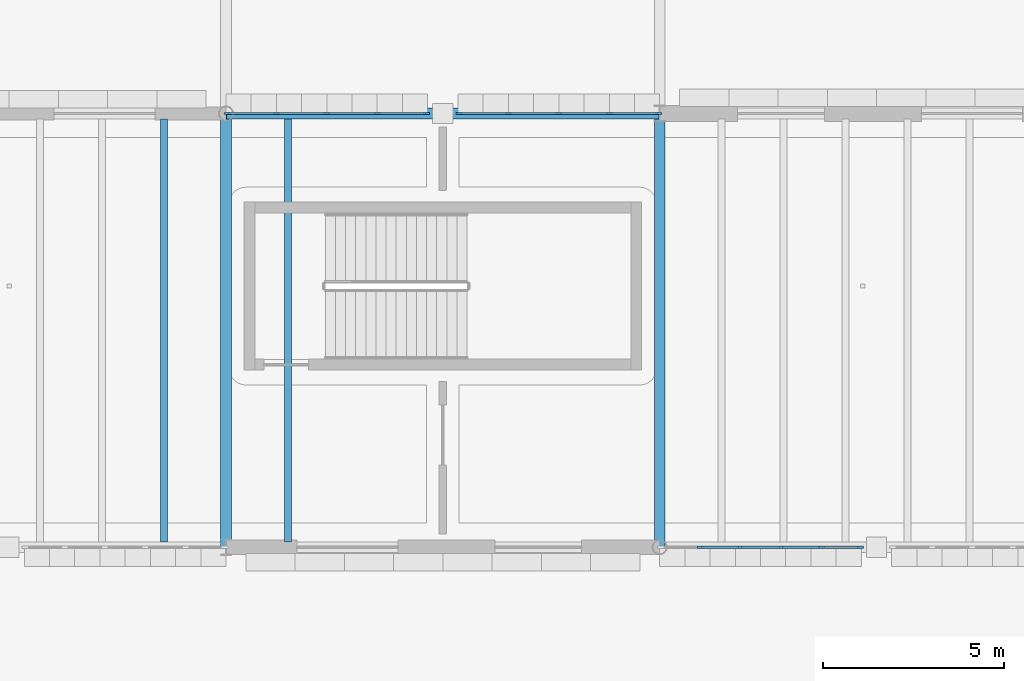
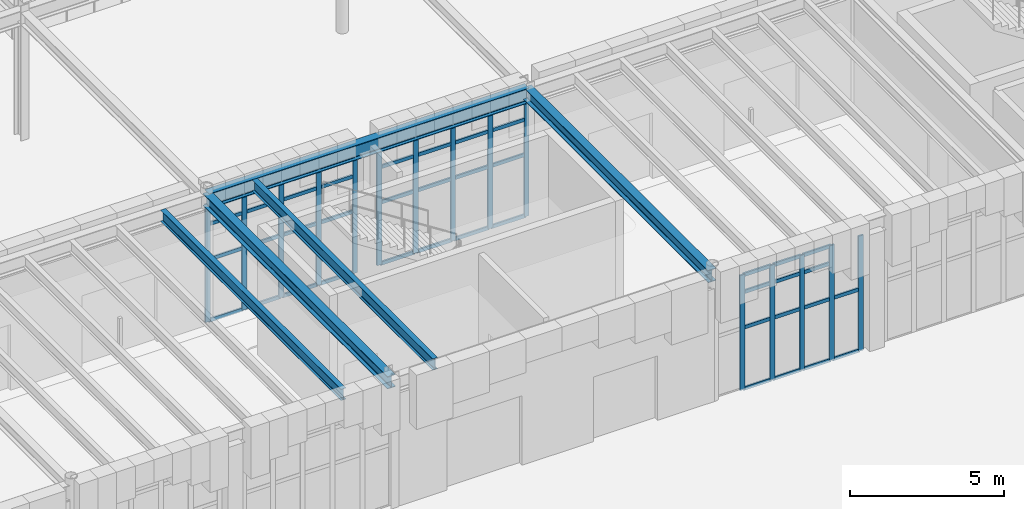
# One storey, part 29 of 103: 61 members, 5 beams, 3 elements without a shape of their own.
"""IFC4 building model written with IfcOpenShell, lengths in metres."""

from ifc_helpers import new_model, si_unit, direction, frame, origin, origin_2d, place, context, subcontext, project, spatial, rectangle, i_section, extrude, material, layer, layer_set, material_profile, profile_set, type_object, element, aggregate, save


model = new_model("IFC4")

# Units and contexts
model_context = context("Model", 3, precision=1e-05, world=origin(), true_north=direction((0.0, 1.0)))
body_context = subcontext(model_context, "Body", "Model", "MODEL_VIEW")
ifc_project = project(units=[si_unit("LENGTHUNIT", "METRE"), si_unit("AREAUNIT", "SQUARE_METRE"), si_unit("VOLUMEUNIT", "CUBIC_METRE"), si_unit("PLANEANGLEUNIT", "RADIAN"), si_unit("MASSUNIT", "GRAM", prefix="KILO")], contexts=[model_context])

# Site, building, storey
site_placement = place(None, origin())
site = spatial("IfcSite", under=ifc_project, at=site_placement, CompositionType="ELEMENT")
building_placement = place(site_placement, origin())
building = spatial("IfcBuilding", under=site, at=building_placement, Name="Zlatogorsky Bluff Art Gallery", CompositionType="ELEMENT")
storey_placement = place(building_placement, origin())
storey = spatial("IfcBuildingStorey", under=building, at=storey_placement, Name="L00", CompositionType="ELEMENT", Elevation=0.0)

# Beams
ifc_material_1 = material(Name="Steel S355", Category="steel")
ifc_material_profile_1 = material_profile(ifc_material_1, i_section(OverallWidth=0.300048828125, OverallDepth=0.590087890625, WebThickness=0.012939453125, FlangeThickness=0.02490234375, FilletRadius=0.027099609375, at=origin_2d()), Name="HEA 600")
ifc_profile_set_1 = profile_set([ifc_material_profile_1], Name="Steel S355")
beam_type_1 = type_object("IfcBeamType", Name="Beam BM-05 HEA 600", PredefinedType="BEAM", material=ifc_profile_set_1)
beam_placement = place(storey_placement, frame((96.014892578125, 96.0, 4.844970703125), z_axis=(1.0, 0.0, 0.0), x_axis=(0.0, 1.0, 0.0)))
element("IfcBeam", 1, at=beam_placement, inside=storey, type_object=beam_type_1, Name="Primary girder BM-05 L00 J-K/10", PredefinedType="BEAM", context=body_context, shape_type="SweptSolid", body=[
    extrude(i_section(OverallWidth=0.300048828125, OverallDepth=0.590087890625, WebThickness=0.012939453125, FlangeThickness=0.02490234375, FilletRadius=0.027099609375, at=origin_2d()), origin(), (0.0, 0.0, 1.0), 11.97021484375),
])
ifc_material_profile_2 = material_profile(ifc_material_1, i_section(OverallWidth=0.300048828125, OverallDepth=0.489990234375, WebThickness=0.011962890625, FlangeThickness=0.02294921875, FilletRadius=0.027099609375, at=origin_2d()), Name="HEA 500")
ifc_profile_set_2 = profile_set([ifc_material_profile_2], Name="Steel S355")
beam_type_2 = type_object("IfcBeamType", Name="Beam BM-07 HEA 500", PredefinedType="BEAM", material=ifc_profile_set_2)
for number, where, z_axis, x_axis, name in (
    (2, (96.0, 84.014892578125, 4.89501953125), (0.0, 1.0, 0.0), (-1.0, 0.0, 0.0), "Primary girder BM-07 L00 J/9-10"),
    (3, (108.0, 84.014892578125, 4.89501953125), (0.0, 1.0, 0.0), (-1.0, 0.0, 0.0), "Primary girder BM-07 L00 K/9-10"),
):
    element("IfcBeam", number, at=place(storey_placement, frame(where, z_axis=z_axis, x_axis=x_axis)), inside=storey, type_object=beam_type_2, Name=name, PredefinedType="BEAM", context=body_context, shape_type="SweptSolid", body=[
        extrude(i_section(OverallWidth=0.300048828125, OverallDepth=0.489990234375, WebThickness=0.011962890625, FlangeThickness=0.02294921875, FilletRadius=0.027099609375, at=origin_2d()), origin(), (0.0, 0.0, 1.0), 11.97021484375),
    ])
ifc_material_profile_3 = material_profile(ifc_material_1, i_section(OverallWidth=0.18994140625, OverallDepth=0.449951171875, WebThickness=0.009521484375, FlangeThickness=0.0146484375, FilletRadius=0.02099609375, at=origin_2d()), Name="IPE 450")
ifc_profile_set_3 = profile_set([ifc_material_profile_3], Name="Steel S355")
beam_type_3 = type_object("IfcBeamType", Name="Beam JS-06 IPE 450", PredefinedType="JOIST", material=ifc_profile_set_3)
for number, where, z_axis, x_axis, name in (
    (4, (94.28564453125, 84.14990234375, 4.9150390625), (0.0, 1.0, 0.0), (-1.0, 0.0, 0.0), "Composite floor joist JS-06 L00 07.08.6"),
    (5, (97.71435546875, 84.14990234375, 4.9150390625), (0.0, 1.0, 0.0), (-1.0, 0.0, 0.0), "Composite floor joist JS-06 L00 08.08.1"),
):
    element("IfcBeam", number, at=place(storey_placement, frame(where, z_axis=z_axis, x_axis=x_axis)), inside=storey, type_object=beam_type_3, Name=name, PredefinedType="JOIST", context=body_context, shape_type="SweptSolid", body=[
        extrude(i_section(OverallWidth=0.18994140625, OverallDepth=0.449951171875, WebThickness=0.009521484375, FlangeThickness=0.0146484375, FilletRadius=0.02099609375, at=origin_2d()), origin(), (0.0, 0.0, 1.0), 11.7001953125),
    ])

# Curtain wall, members
ifc_material_2 = material(Name="Anodised Bronze Aluminium and Low-Iron Triple Glazing", Category="aluminium")
ifc_layer_1 = layer(ifc_material_2, 0.179931640625)
ifc_layer_set_1 = layer_set([ifc_layer_1], Name="Curtain Wall CW-01")
curtain_wall_type_1 = type_object("IfcCurtainWallType", Name="Curtain Wall CW-01", PredefinedType="USERDEFINED", material=ifc_layer_set_1)
curtain_wall_1_placement = place(storey_placement, origin())
curtain_wall_1 = element("IfcCurtainWall", 6, at=curtain_wall_1_placement, inside=storey, type_object=curtain_wall_type_1, Name="Unitised curtain wall CW-01 L00 N 8.8-A", ObjectType="CURTAIN WALL", PredefinedType="USERDEFINED")
ifc_material_3 = material(Name="Anodised Bronze Aluminium", Category="aluminium")
ifc_material_profile_4 = material_profile(ifc_material_3, rectangle(XDim=0.06494140625, YDim=0.179931640625, at=origin_2d()), Name="ALU MULLION 65x180")
ifc_profile_set_4 = profile_set([ifc_material_profile_4], Name="Anodised Bronze Aluminium")
member_type_1 = type_object("IfcMemberType", Name="Curtain Mullion ML-01", PredefinedType="MULLION", material=ifc_profile_set_4)
member_1_placement = place(storey_placement, frame((107.967529296875, 96.0, 0.0), z_axis=(0.0, 0.0, 1.0), x_axis=(0.0, -1.0, 0.0)))
member_1 = element("IfcMember", 7, at=member_1_placement, type_object=member_type_1, Name="CW-01 mullion 1", PredefinedType="MULLION", context=body_context, shape_type="SweptSolid", body=[
    extrude(rectangle(XDim=0.06494140625, YDim=0.179931640625, at=origin_2d()), origin(), (0.0, 0.0, 1.0), 4.56005859375),
])
member_2_placement = place(storey_placement, frame((106.60498046875, 96.0, 0.0), z_axis=(0.0, 0.0, 1.0), x_axis=(0.0, -1.0, 0.0)))
member_2 = element("IfcMember", 8, at=member_2_placement, type_object=member_type_1, Name="CW-01 mullion 2", PredefinedType="MULLION", context=body_context, shape_type="SweptSolid", body=[
    extrude(rectangle(XDim=0.06494140625, YDim=0.179931640625, at=origin_2d()), origin(), (0.0, 0.0, 1.0), 4.56005859375),
])
member_3_placement = place(storey_placement, frame((105.2099609375, 96.0, 0.0), z_axis=(0.0, 0.0, 1.0), x_axis=(0.0, -1.0, 0.0)))
member_3 = element("IfcMember", 9, at=member_3_placement, type_object=member_type_1, Name="CW-01 mullion 3", PredefinedType="MULLION", context=body_context, shape_type="SweptSolid", body=[
    extrude(rectangle(XDim=0.06494140625, YDim=0.179931640625, at=origin_2d()), origin(), (0.0, 0.0, 1.0), 4.56005859375),
])
member_4_placement = place(storey_placement, frame((103.81494140625, 96.0, 0.0), z_axis=(0.0, 0.0, 1.0), x_axis=(0.0, -1.0, 0.0)))
member_4 = element("IfcMember", 10, at=member_4_placement, type_object=member_type_1, Name="CW-01 mullion 4", PredefinedType="MULLION", context=body_context, shape_type="SweptSolid", body=[
    extrude(rectangle(XDim=0.06494140625, YDim=0.179931640625, at=origin_2d()), origin(), (0.0, 0.0, 1.0), 4.56005859375),
])
member_5_placement = place(storey_placement, frame((102.452392578125, 96.0, 0.0), z_axis=(0.0, 0.0, 1.0), x_axis=(0.0, -1.0, 0.0)))
member_5 = element("IfcMember", 11, at=member_5_placement, type_object=member_type_1, Name="CW-01 mullion 5", PredefinedType="MULLION", context=body_context, shape_type="SweptSolid", body=[
    extrude(rectangle(XDim=0.06494140625, YDim=0.179931640625, at=origin_2d()), origin(), (0.0, 0.0, 1.0), 4.56005859375),
])

curtain_wall_2_placement = place(storey_placement, origin())
curtain_wall_2 = element("IfcCurtainWall", 12, at=curtain_wall_2_placement, inside=storey, type_object=curtain_wall_type_1, Name="Unitised curtain wall CW-01 L00 N 8.8-B", ObjectType="CURTAIN WALL", PredefinedType="USERDEFINED")
member_6_placement = place(storey_placement, frame((101.547607421875, 96.0, 0.0), z_axis=(0.0, 0.0, 1.0), x_axis=(0.0, -1.0, 0.0)))
member_6 = element("IfcMember", 13, at=member_6_placement, type_object=member_type_1, Name="CW-01 mullion 1", PredefinedType="MULLION", context=body_context, shape_type="SweptSolid", body=[
    extrude(rectangle(XDim=0.06494140625, YDim=0.179931640625, at=origin_2d()), origin(), (0.0, 0.0, 1.0), 4.56005859375),
])
member_7_placement = place(storey_placement, frame((100.18505859375, 96.0, 0.0), z_axis=(0.0, 0.0, 1.0), x_axis=(0.0, -1.0, 0.0)))
member_7 = element("IfcMember", 14, at=member_7_placement, type_object=member_type_1, Name="CW-01 mullion 2", PredefinedType="MULLION", context=body_context, shape_type="SweptSolid", body=[
    extrude(rectangle(XDim=0.06494140625, YDim=0.179931640625, at=origin_2d()), origin(), (0.0, 0.0, 1.0), 4.56005859375),
])
member_8_placement = place(storey_placement, frame((98.7900390625, 96.0, 0.0), z_axis=(0.0, 0.0, 1.0), x_axis=(0.0, -1.0, 0.0)))
member_8 = element("IfcMember", 15, at=member_8_placement, type_object=member_type_1, Name="CW-01 mullion 3", PredefinedType="MULLION", context=body_context, shape_type="SweptSolid", body=[
    extrude(rectangle(XDim=0.06494140625, YDim=0.179931640625, at=origin_2d()), origin(), (0.0, 0.0, 1.0), 4.56005859375),
])
member_9_placement = place(storey_placement, frame((97.39501953125, 96.0, 0.0), z_axis=(0.0, 0.0, 1.0), x_axis=(0.0, -1.0, 0.0)))
member_9 = element("IfcMember", 16, at=member_9_placement, type_object=member_type_1, Name="CW-01 mullion 4", PredefinedType="MULLION", context=body_context, shape_type="SweptSolid", body=[
    extrude(rectangle(XDim=0.06494140625, YDim=0.179931640625, at=origin_2d()), origin(), (0.0, 0.0, 1.0), 4.56005859375),
])
member_10_placement = place(storey_placement, frame((96.032470703125, 96.0, 0.0), z_axis=(0.0, 0.0, 1.0), x_axis=(0.0, -1.0, 0.0)))
member_10 = element("IfcMember", 17, at=member_10_placement, type_object=member_type_1, Name="CW-01 mullion 5", PredefinedType="MULLION", context=body_context, shape_type="SweptSolid", body=[
    extrude(rectangle(XDim=0.06494140625, YDim=0.179931640625, at=origin_2d()), origin(), (0.0, 0.0, 1.0), 4.56005859375),
])

ifc_layer_2 = layer(ifc_material_2, 0.179931640625)
ifc_layer_set_2 = layer_set([ifc_layer_2], Name="Curtain Wall CW-03")
curtain_wall_type_2 = type_object("IfcCurtainWallType", Name="Curtain Wall CW-03", PredefinedType="USERDEFINED", material=ifc_layer_set_2)
curtain_wall_3_placement = place(storey_placement, origin())
curtain_wall_3 = element("IfcCurtainWall", 18, at=curtain_wall_3_placement, inside=storey, type_object=curtain_wall_type_2, Name="Unitised curtain wall CW-03 L00 S 9.8-A", ObjectType="CURTAIN WALL", PredefinedType="USERDEFINED")
member_11_placement = place(storey_placement, frame((109.115966796875, 84.0, 0.0), z_axis=(0.0, 0.0, 1.0), x_axis=(0.0, 1.0, 0.0)))
member_11 = element("IfcMember", 19, at=member_11_placement, type_object=member_type_1, Name="CW-03 mullion 2", PredefinedType="MULLION", context=body_context, shape_type="SweptSolid", body=[
    extrude(rectangle(XDim=0.06494140625, YDim=0.179931640625, at=origin_2d()), origin(), (0.0, 0.0, 1.0), 4.56005859375),
])
member_12_placement = place(storey_placement, frame((110.23193359375, 84.0, 0.0), z_axis=(0.0, 0.0, 1.0), x_axis=(0.0, 1.0, 0.0)))
member_12 = element("IfcMember", 20, at=member_12_placement, type_object=member_type_1, Name="CW-03 mullion 3", PredefinedType="MULLION", context=body_context, shape_type="SweptSolid", body=[
    extrude(rectangle(XDim=0.06494140625, YDim=0.179931640625, at=origin_2d()), origin(), (0.0, 0.0, 1.0), 4.56005859375),
])
member_13_placement = place(storey_placement, frame((111.347900390625, 84.0, 0.0), z_axis=(0.0, 0.0, 1.0), x_axis=(0.0, 1.0, 0.0)))
member_13 = element("IfcMember", 21, at=member_13_placement, type_object=member_type_1, Name="CW-03 mullion 4", PredefinedType="MULLION", context=body_context, shape_type="SweptSolid", body=[
    extrude(rectangle(XDim=0.06494140625, YDim=0.179931640625, at=origin_2d()), origin(), (0.0, 0.0, 1.0), 4.56005859375),
])
member_14_placement = place(storey_placement, frame((112.464111328125, 84.0, 0.0), z_axis=(0.0, 0.0, 1.0), x_axis=(0.0, 1.0, 0.0)))
member_14 = element("IfcMember", 22, at=member_14_placement, type_object=member_type_1, Name="CW-03 mullion 5", PredefinedType="MULLION", context=body_context, shape_type="SweptSolid", body=[
    extrude(rectangle(XDim=0.06494140625, YDim=0.179931640625, at=origin_2d()), origin(), (0.0, 0.0, 1.0), 4.56005859375),
])
member_15_placement = place(storey_placement, frame((113.547607421875, 84.0, 0.0), z_axis=(0.0, 0.0, 1.0), x_axis=(0.0, 1.0, 0.0)))
member_15 = element("IfcMember", 23, at=member_15_placement, type_object=member_type_1, Name="CW-03 mullion 6", PredefinedType="MULLION", context=body_context, shape_type="SweptSolid", body=[
    extrude(rectangle(XDim=0.06494140625, YDim=0.179931640625, at=origin_2d()), origin(), (0.0, 0.0, 1.0), 4.56005859375),
])

# Member
ifc_material_profile_5 = material_profile(ifc_material_3, rectangle(XDim=0.06494140625, YDim=0.139892578125, at=origin_2d()), Name="ALU TRANSOM 65x140")
ifc_profile_set_5 = profile_set([ifc_material_profile_5], Name="Anodised Bronze Aluminium")
member_type_2 = type_object("IfcMemberType", Name="Curtain Transom TR-01", PredefinedType="USERDEFINED", material=ifc_profile_set_5)
member_16_placement = place(storey_placement, frame((107.93505859375, 96.0, 0.032470703125), z_axis=(-1.0, 0.0, 0.0), x_axis=(0.0, -1.0, 0.0)))
member_16 = element("IfcMember", 24, at=member_16_placement, type_object=member_type_2, Name="CW-01 transom 1.1", ObjectType="TRANSOM", PredefinedType="USERDEFINED", context=body_context, shape_type="SweptSolid", body=[
    extrude(rectangle(XDim=0.06494140625, YDim=0.139892578125, at=origin_2d()), origin(), (0.0, 0.0, 1.0), 1.297607421875),
])

member_17_placement = place(storey_placement, frame((107.93505859375, 96.0, 2.449951171875), z_axis=(-1.0, 0.0, 0.0), x_axis=(0.0, -1.0, 0.0)))
member_17 = element("IfcMember", 25, at=member_17_placement, type_object=member_type_2, Name="CW-01 transom 1.2", ObjectType="TRANSOM", PredefinedType="USERDEFINED", context=body_context, shape_type="SweptSolid", body=[
    extrude(rectangle(XDim=0.06494140625, YDim=0.139892578125, at=origin_2d()), origin(), (0.0, 0.0, 1.0), 1.297607421875),
])

member_18_placement = place(storey_placement, frame((107.93505859375, 96.0, 3.85009765625), z_axis=(-1.0, 0.0, 0.0), x_axis=(0.0, -1.0, 0.0)))
member_18 = element("IfcMember", 26, at=member_18_placement, type_object=member_type_2, Name="CW-01 transom 1.3", ObjectType="TRANSOM", PredefinedType="USERDEFINED", context=body_context, shape_type="SweptSolid", body=[
    extrude(rectangle(XDim=0.06494140625, YDim=0.139892578125, at=origin_2d()), origin(), (0.0, 0.0, 1.0), 1.297607421875),
])

member_19_placement = place(storey_placement, frame((107.93505859375, 96.0, 4.527587890625), z_axis=(-1.0, 0.0, 0.0), x_axis=(0.0, -1.0, 0.0)))
member_19 = element("IfcMember", 27, at=member_19_placement, type_object=member_type_2, Name="CW-01 transom 1.4", ObjectType="TRANSOM", PredefinedType="USERDEFINED", context=body_context, shape_type="SweptSolid", body=[
    extrude(rectangle(XDim=0.06494140625, YDim=0.139892578125, at=origin_2d()), origin(), (0.0, 0.0, 1.0), 1.297607421875),
])

member_20_placement = place(storey_placement, frame((106.572509765625, 96.0, 0.032470703125), z_axis=(-1.0, 0.0, 0.0), x_axis=(0.0, -1.0, 0.0)))
member_20 = element("IfcMember", 28, at=member_20_placement, type_object=member_type_2, Name="CW-01 transom 2.1", ObjectType="TRANSOM", PredefinedType="USERDEFINED", context=body_context, shape_type="SweptSolid", body=[
    extrude(rectangle(XDim=0.06494140625, YDim=0.139892578125, at=origin_2d()), origin(), (0.0, 0.0, 1.0), 1.330078125),
])

member_21_placement = place(storey_placement, frame((106.572509765625, 96.0, 2.449951171875), z_axis=(-1.0, 0.0, 0.0), x_axis=(0.0, -1.0, 0.0)))
member_21 = element("IfcMember", 29, at=member_21_placement, type_object=member_type_2, Name="CW-01 transom 2.2", ObjectType="TRANSOM", PredefinedType="USERDEFINED", context=body_context, shape_type="SweptSolid", body=[
    extrude(rectangle(XDim=0.06494140625, YDim=0.139892578125, at=origin_2d()), origin(), (0.0, 0.0, 1.0), 1.330078125),
])

member_22_placement = place(storey_placement, frame((106.572509765625, 96.0, 3.85009765625), z_axis=(-1.0, 0.0, 0.0), x_axis=(0.0, -1.0, 0.0)))
member_22 = element("IfcMember", 30, at=member_22_placement, type_object=member_type_2, Name="CW-01 transom 2.3", ObjectType="TRANSOM", PredefinedType="USERDEFINED", context=body_context, shape_type="SweptSolid", body=[
    extrude(rectangle(XDim=0.06494140625, YDim=0.139892578125, at=origin_2d()), origin(), (0.0, 0.0, 1.0), 1.330078125),
])

member_23_placement = place(storey_placement, frame((106.572509765625, 96.0, 4.527587890625), z_axis=(-1.0, 0.0, 0.0), x_axis=(0.0, -1.0, 0.0)))
member_23 = element("IfcMember", 31, at=member_23_placement, type_object=member_type_2, Name="CW-01 transom 2.4", ObjectType="TRANSOM", PredefinedType="USERDEFINED", context=body_context, shape_type="SweptSolid", body=[
    extrude(rectangle(XDim=0.06494140625, YDim=0.139892578125, at=origin_2d()), origin(), (0.0, 0.0, 1.0), 1.330078125),
])

member_24_placement = place(storey_placement, frame((105.177490234375, 96.0, 0.032470703125), z_axis=(-1.0, 0.0, 0.0), x_axis=(0.0, -1.0, 0.0)))
member_24 = element("IfcMember", 32, at=member_24_placement, type_object=member_type_2, Name="CW-01 transom 3.1", ObjectType="TRANSOM", PredefinedType="USERDEFINED", context=body_context, shape_type="SweptSolid", body=[
    extrude(rectangle(XDim=0.06494140625, YDim=0.139892578125, at=origin_2d()), origin(), (0.0, 0.0, 1.0), 1.330078125),
])

member_25_placement = place(storey_placement, frame((105.177490234375, 96.0, 2.449951171875), z_axis=(-1.0, 0.0, 0.0), x_axis=(0.0, -1.0, 0.0)))
member_25 = element("IfcMember", 33, at=member_25_placement, type_object=member_type_2, Name="CW-01 transom 3.2", ObjectType="TRANSOM", PredefinedType="USERDEFINED", context=body_context, shape_type="SweptSolid", body=[
    extrude(rectangle(XDim=0.06494140625, YDim=0.139892578125, at=origin_2d()), origin(), (0.0, 0.0, 1.0), 1.330078125),
])

member_26_placement = place(storey_placement, frame((105.177490234375, 96.0, 3.85009765625), z_axis=(-1.0, 0.0, 0.0), x_axis=(0.0, -1.0, 0.0)))
member_26 = element("IfcMember", 34, at=member_26_placement, type_object=member_type_2, Name="CW-01 transom 3.3", ObjectType="TRANSOM", PredefinedType="USERDEFINED", context=body_context, shape_type="SweptSolid", body=[
    extrude(rectangle(XDim=0.06494140625, YDim=0.139892578125, at=origin_2d()), origin(), (0.0, 0.0, 1.0), 1.330078125),
])

member_27_placement = place(storey_placement, frame((105.177490234375, 96.0, 4.527587890625), z_axis=(-1.0, 0.0, 0.0), x_axis=(0.0, -1.0, 0.0)))
member_27 = element("IfcMember", 35, at=member_27_placement, type_object=member_type_2, Name="CW-01 transom 3.4", ObjectType="TRANSOM", PredefinedType="USERDEFINED", context=body_context, shape_type="SweptSolid", body=[
    extrude(rectangle(XDim=0.06494140625, YDim=0.139892578125, at=origin_2d()), origin(), (0.0, 0.0, 1.0), 1.330078125),
])

member_28_placement = place(storey_placement, frame((103.782470703125, 96.0, 0.032470703125), z_axis=(-1.0, 0.0, 0.0), x_axis=(0.0, -1.0, 0.0)))
member_28 = element("IfcMember", 36, at=member_28_placement, type_object=member_type_2, Name="CW-01 transom 4.1", ObjectType="TRANSOM", PredefinedType="USERDEFINED", context=body_context, shape_type="SweptSolid", body=[
    extrude(rectangle(XDim=0.06494140625, YDim=0.139892578125, at=origin_2d()), origin(), (0.0, 0.0, 1.0), 1.29736328125),
])

member_29_placement = place(storey_placement, frame((103.782470703125, 96.0, 2.449951171875), z_axis=(-1.0, 0.0, 0.0), x_axis=(0.0, -1.0, 0.0)))
member_29 = element("IfcMember", 37, at=member_29_placement, type_object=member_type_2, Name="CW-01 transom 4.2", ObjectType="TRANSOM", PredefinedType="USERDEFINED", context=body_context, shape_type="SweptSolid", body=[
    extrude(rectangle(XDim=0.06494140625, YDim=0.139892578125, at=origin_2d()), origin(), (0.0, 0.0, 1.0), 1.29736328125),
])

member_30_placement = place(storey_placement, frame((103.782470703125, 96.0, 3.85009765625), z_axis=(-1.0, 0.0, 0.0), x_axis=(0.0, -1.0, 0.0)))
member_30 = element("IfcMember", 38, at=member_30_placement, type_object=member_type_2, Name="CW-01 transom 4.3", ObjectType="TRANSOM", PredefinedType="USERDEFINED", context=body_context, shape_type="SweptSolid", body=[
    extrude(rectangle(XDim=0.06494140625, YDim=0.139892578125, at=origin_2d()), origin(), (0.0, 0.0, 1.0), 1.29736328125),
])

member_31_placement = place(storey_placement, frame((103.782470703125, 96.0, 4.527587890625), z_axis=(-1.0, 0.0, 0.0), x_axis=(0.0, -1.0, 0.0)))
member_31 = element("IfcMember", 39, at=member_31_placement, type_object=member_type_2, Name="CW-01 transom 4.4", ObjectType="TRANSOM", PredefinedType="USERDEFINED", context=body_context, shape_type="SweptSolid", body=[
    extrude(rectangle(XDim=0.06494140625, YDim=0.139892578125, at=origin_2d()), origin(), (0.0, 0.0, 1.0), 1.29736328125),
])

aggregate(curtain_wall_1, [member_1, member_2, member_3, member_4, member_5, member_16, member_17, member_18, member_19, member_20, member_21, member_22, member_23, member_24, member_25, member_26, member_27, member_28, member_29, member_30, member_31])

member_32_placement = place(storey_placement, frame((101.514892578125, 96.0, 0.032470703125), z_axis=(-1.0, 0.0, 0.0), x_axis=(0.0, -1.0, 0.0)))
member_32 = element("IfcMember", 40, at=member_32_placement, type_object=member_type_2, Name="CW-01 transom 1.1", ObjectType="TRANSOM", PredefinedType="USERDEFINED", context=body_context, shape_type="SweptSolid", body=[
    extrude(rectangle(XDim=0.06494140625, YDim=0.139892578125, at=origin_2d()), origin(), (0.0, 0.0, 1.0), 1.29736328125),
])

member_33_placement = place(storey_placement, frame((101.514892578125, 96.0, 2.449951171875), z_axis=(-1.0, 0.0, 0.0), x_axis=(0.0, -1.0, 0.0)))
member_33 = element("IfcMember", 41, at=member_33_placement, type_object=member_type_2, Name="CW-01 transom 1.2", ObjectType="TRANSOM", PredefinedType="USERDEFINED", context=body_context, shape_type="SweptSolid", body=[
    extrude(rectangle(XDim=0.06494140625, YDim=0.139892578125, at=origin_2d()), origin(), (0.0, 0.0, 1.0), 1.29736328125),
])

member_34_placement = place(storey_placement, frame((101.514892578125, 96.0, 3.85009765625), z_axis=(-1.0, 0.0, 0.0), x_axis=(0.0, -1.0, 0.0)))
member_34 = element("IfcMember", 42, at=member_34_placement, type_object=member_type_2, Name="CW-01 transom 1.3", ObjectType="TRANSOM", PredefinedType="USERDEFINED", context=body_context, shape_type="SweptSolid", body=[
    extrude(rectangle(XDim=0.06494140625, YDim=0.139892578125, at=origin_2d()), origin(), (0.0, 0.0, 1.0), 1.29736328125),
])

member_35_placement = place(storey_placement, frame((101.514892578125, 96.0, 4.527587890625), z_axis=(-1.0, 0.0, 0.0), x_axis=(0.0, -1.0, 0.0)))
member_35 = element("IfcMember", 43, at=member_35_placement, type_object=member_type_2, Name="CW-01 transom 1.4", ObjectType="TRANSOM", PredefinedType="USERDEFINED", context=body_context, shape_type="SweptSolid", body=[
    extrude(rectangle(XDim=0.06494140625, YDim=0.139892578125, at=origin_2d()), origin(), (0.0, 0.0, 1.0), 1.29736328125),
])

member_36_placement = place(storey_placement, frame((100.152587890625, 96.0, 0.032470703125), z_axis=(-1.0, 0.0, 0.0), x_axis=(0.0, -1.0, 0.0)))
member_36 = element("IfcMember", 44, at=member_36_placement, type_object=member_type_2, Name="CW-01 transom 2.1", ObjectType="TRANSOM", PredefinedType="USERDEFINED", context=body_context, shape_type="SweptSolid", body=[
    extrude(rectangle(XDim=0.06494140625, YDim=0.139892578125, at=origin_2d()), origin(), (0.0, 0.0, 1.0), 1.330078125),
])

member_37_placement = place(storey_placement, frame((100.152587890625, 96.0, 2.449951171875), z_axis=(-1.0, 0.0, 0.0), x_axis=(0.0, -1.0, 0.0)))
member_37 = element("IfcMember", 45, at=member_37_placement, type_object=member_type_2, Name="CW-01 transom 2.2", ObjectType="TRANSOM", PredefinedType="USERDEFINED", context=body_context, shape_type="SweptSolid", body=[
    extrude(rectangle(XDim=0.06494140625, YDim=0.139892578125, at=origin_2d()), origin(), (0.0, 0.0, 1.0), 1.330078125),
])

member_38_placement = place(storey_placement, frame((100.152587890625, 96.0, 3.85009765625), z_axis=(-1.0, 0.0, 0.0), x_axis=(0.0, -1.0, 0.0)))
member_38 = element("IfcMember", 46, at=member_38_placement, type_object=member_type_2, Name="CW-01 transom 2.3", ObjectType="TRANSOM", PredefinedType="USERDEFINED", context=body_context, shape_type="SweptSolid", body=[
    extrude(rectangle(XDim=0.06494140625, YDim=0.139892578125, at=origin_2d()), origin(), (0.0, 0.0, 1.0), 1.330078125),
])

member_39_placement = place(storey_placement, frame((100.152587890625, 96.0, 4.527587890625), z_axis=(-1.0, 0.0, 0.0), x_axis=(0.0, -1.0, 0.0)))
member_39 = element("IfcMember", 47, at=member_39_placement, type_object=member_type_2, Name="CW-01 transom 2.4", ObjectType="TRANSOM", PredefinedType="USERDEFINED", context=body_context, shape_type="SweptSolid", body=[
    extrude(rectangle(XDim=0.06494140625, YDim=0.139892578125, at=origin_2d()), origin(), (0.0, 0.0, 1.0), 1.330078125),
])

member_40_placement = place(storey_placement, frame((98.757568359375, 96.0, 0.032470703125), z_axis=(-1.0, 0.0, 0.0), x_axis=(0.0, -1.0, 0.0)))
member_40 = element("IfcMember", 48, at=member_40_placement, type_object=member_type_2, Name="CW-01 transom 3.1", ObjectType="TRANSOM", PredefinedType="USERDEFINED", context=body_context, shape_type="SweptSolid", body=[
    extrude(rectangle(XDim=0.06494140625, YDim=0.139892578125, at=origin_2d()), origin(), (0.0, 0.0, 1.0), 1.330078125),
])

member_41_placement = place(storey_placement, frame((98.757568359375, 96.0, 2.449951171875), z_axis=(-1.0, 0.0, 0.0), x_axis=(0.0, -1.0, 0.0)))
member_41 = element("IfcMember", 49, at=member_41_placement, type_object=member_type_2, Name="CW-01 transom 3.2", ObjectType="TRANSOM", PredefinedType="USERDEFINED", context=body_context, shape_type="SweptSolid", body=[
    extrude(rectangle(XDim=0.06494140625, YDim=0.139892578125, at=origin_2d()), origin(), (0.0, 0.0, 1.0), 1.330078125),
])

member_42_placement = place(storey_placement, frame((98.757568359375, 96.0, 3.85009765625), z_axis=(-1.0, 0.0, 0.0), x_axis=(0.0, -1.0, 0.0)))
member_42 = element("IfcMember", 50, at=member_42_placement, type_object=member_type_2, Name="CW-01 transom 3.3", ObjectType="TRANSOM", PredefinedType="USERDEFINED", context=body_context, shape_type="SweptSolid", body=[
    extrude(rectangle(XDim=0.06494140625, YDim=0.139892578125, at=origin_2d()), origin(), (0.0, 0.0, 1.0), 1.330078125),
])

member_43_placement = place(storey_placement, frame((98.757568359375, 96.0, 4.527587890625), z_axis=(-1.0, 0.0, 0.0), x_axis=(0.0, -1.0, 0.0)))
member_43 = element("IfcMember", 51, at=member_43_placement, type_object=member_type_2, Name="CW-01 transom 3.4", ObjectType="TRANSOM", PredefinedType="USERDEFINED", context=body_context, shape_type="SweptSolid", body=[
    extrude(rectangle(XDim=0.06494140625, YDim=0.139892578125, at=origin_2d()), origin(), (0.0, 0.0, 1.0), 1.330078125),
])

member_44_placement = place(storey_placement, frame((97.362548828125, 96.0, 0.032470703125), z_axis=(-1.0, 0.0, 0.0), x_axis=(0.0, -1.0, 0.0)))
member_44 = element("IfcMember", 52, at=member_44_placement, type_object=member_type_2, Name="CW-01 transom 4.1", ObjectType="TRANSOM", PredefinedType="USERDEFINED", context=body_context, shape_type="SweptSolid", body=[
    extrude(rectangle(XDim=0.06494140625, YDim=0.139892578125, at=origin_2d()), origin(), (0.0, 0.0, 1.0), 1.297607421875),
])

member_45_placement = place(storey_placement, frame((97.362548828125, 96.0, 2.449951171875), z_axis=(-1.0, 0.0, 0.0), x_axis=(0.0, -1.0, 0.0)))
member_45 = element("IfcMember", 53, at=member_45_placement, type_object=member_type_2, Name="CW-01 transom 4.2", ObjectType="TRANSOM", PredefinedType="USERDEFINED", context=body_context, shape_type="SweptSolid", body=[
    extrude(rectangle(XDim=0.06494140625, YDim=0.139892578125, at=origin_2d()), origin(), (0.0, 0.0, 1.0), 1.297607421875),
])

member_46_placement = place(storey_placement, frame((97.362548828125, 96.0, 3.85009765625), z_axis=(-1.0, 0.0, 0.0), x_axis=(0.0, -1.0, 0.0)))
member_46 = element("IfcMember", 54, at=member_46_placement, type_object=member_type_2, Name="CW-01 transom 4.3", ObjectType="TRANSOM", PredefinedType="USERDEFINED", context=body_context, shape_type="SweptSolid", body=[
    extrude(rectangle(XDim=0.06494140625, YDim=0.139892578125, at=origin_2d()), origin(), (0.0, 0.0, 1.0), 1.297607421875),
])

member_47_placement = place(storey_placement, frame((97.362548828125, 96.0, 4.527587890625), z_axis=(-1.0, 0.0, 0.0), x_axis=(0.0, -1.0, 0.0)))
member_47 = element("IfcMember", 55, at=member_47_placement, type_object=member_type_2, Name="CW-01 transom 4.4", ObjectType="TRANSOM", PredefinedType="USERDEFINED", context=body_context, shape_type="SweptSolid", body=[
    extrude(rectangle(XDim=0.06494140625, YDim=0.139892578125, at=origin_2d()), origin(), (0.0, 0.0, 1.0), 1.297607421875),
])

aggregate(curtain_wall_2, [member_6, member_7, member_8, member_9, member_10, member_32, member_33, member_34, member_35, member_36, member_37, member_38, member_39, member_40, member_41, member_42, member_43, member_44, member_45, member_46, member_47])

member_48_placement = place(storey_placement, frame((109.1484375, 84.0, 0.032470703125), z_axis=(1.0, 0.0, 0.0), x_axis=(0.0, 1.0, 0.0)))
member_48 = element("IfcMember", 56, at=member_48_placement, type_object=member_type_2, Name="CW-03 transom 2.1", ObjectType="TRANSOM", PredefinedType="USERDEFINED", context=body_context, shape_type="SweptSolid", body=[
    extrude(rectangle(XDim=0.06494140625, YDim=0.139892578125, at=origin_2d()), origin(), (0.0, 0.0, 1.0), 1.051025390625),
])

member_49_placement = place(storey_placement, frame((109.1484375, 84.0, 2.449951171875), z_axis=(1.0, 0.0, 0.0), x_axis=(0.0, 1.0, 0.0)))
member_49 = element("IfcMember", 57, at=member_49_placement, type_object=member_type_2, Name="CW-03 transom 2.2", ObjectType="TRANSOM", PredefinedType="USERDEFINED", context=body_context, shape_type="SweptSolid", body=[
    extrude(rectangle(XDim=0.06494140625, YDim=0.139892578125, at=origin_2d()), origin(), (0.0, 0.0, 1.0), 1.051025390625),
])

member_50_placement = place(storey_placement, frame((109.1484375, 84.0, 3.85009765625), z_axis=(1.0, 0.0, 0.0), x_axis=(0.0, 1.0, 0.0)))
member_50 = element("IfcMember", 58, at=member_50_placement, type_object=member_type_2, Name="CW-03 transom 2.3", ObjectType="TRANSOM", PredefinedType="USERDEFINED", context=body_context, shape_type="SweptSolid", body=[
    extrude(rectangle(XDim=0.06494140625, YDim=0.139892578125, at=origin_2d()), origin(), (0.0, 0.0, 1.0), 1.051025390625),
])

member_51_placement = place(storey_placement, frame((109.1484375, 84.0, 4.527587890625), z_axis=(1.0, 0.0, 0.0), x_axis=(0.0, 1.0, 0.0)))
member_51 = element("IfcMember", 59, at=member_51_placement, type_object=member_type_2, Name="CW-03 transom 2.4", ObjectType="TRANSOM", PredefinedType="USERDEFINED", context=body_context, shape_type="SweptSolid", body=[
    extrude(rectangle(XDim=0.06494140625, YDim=0.139892578125, at=origin_2d()), origin(), (0.0, 0.0, 1.0), 1.051025390625),
])

member_52_placement = place(storey_placement, frame((110.264404296875, 84.0, 0.032470703125), z_axis=(1.0, 0.0, 0.0), x_axis=(0.0, 1.0, 0.0)))
member_52 = element("IfcMember", 60, at=member_52_placement, type_object=member_type_2, Name="CW-03 transom 3.1", ObjectType="TRANSOM", PredefinedType="USERDEFINED", context=body_context, shape_type="SweptSolid", body=[
    extrude(rectangle(XDim=0.06494140625, YDim=0.139892578125, at=origin_2d()), origin(), (0.0, 0.0, 1.0), 1.051025390625),
])

member_53_placement = place(storey_placement, frame((110.264404296875, 84.0, 2.449951171875), z_axis=(1.0, 0.0, 0.0), x_axis=(0.0, 1.0, 0.0)))
member_53 = element("IfcMember", 61, at=member_53_placement, type_object=member_type_2, Name="CW-03 transom 3.2", ObjectType="TRANSOM", PredefinedType="USERDEFINED", context=body_context, shape_type="SweptSolid", body=[
    extrude(rectangle(XDim=0.06494140625, YDim=0.139892578125, at=origin_2d()), origin(), (0.0, 0.0, 1.0), 1.051025390625),
])

member_54_placement = place(storey_placement, frame((110.264404296875, 84.0, 3.85009765625), z_axis=(1.0, 0.0, 0.0), x_axis=(0.0, 1.0, 0.0)))
member_54 = element("IfcMember", 62, at=member_54_placement, type_object=member_type_2, Name="CW-03 transom 3.3", ObjectType="TRANSOM", PredefinedType="USERDEFINED", context=body_context, shape_type="SweptSolid", body=[
    extrude(rectangle(XDim=0.06494140625, YDim=0.139892578125, at=origin_2d()), origin(), (0.0, 0.0, 1.0), 1.051025390625),
])

member_55_placement = place(storey_placement, frame((110.264404296875, 84.0, 4.527587890625), z_axis=(1.0, 0.0, 0.0), x_axis=(0.0, 1.0, 0.0)))
member_55 = element("IfcMember", 63, at=member_55_placement, type_object=member_type_2, Name="CW-03 transom 3.4", ObjectType="TRANSOM", PredefinedType="USERDEFINED", context=body_context, shape_type="SweptSolid", body=[
    extrude(rectangle(XDim=0.06494140625, YDim=0.139892578125, at=origin_2d()), origin(), (0.0, 0.0, 1.0), 1.051025390625),
])

member_56_placement = place(storey_placement, frame((111.380615234375, 84.0, 0.032470703125), z_axis=(1.0, 0.0, 0.0), x_axis=(0.0, 1.0, 0.0)))
member_56 = element("IfcMember", 64, at=member_56_placement, type_object=member_type_2, Name="CW-03 transom 4.1", ObjectType="TRANSOM", PredefinedType="USERDEFINED", context=body_context, shape_type="SweptSolid", body=[
    extrude(rectangle(XDim=0.06494140625, YDim=0.139892578125, at=origin_2d()), origin(), (0.0, 0.0, 1.0), 1.05078125),
])

member_57_placement = place(storey_placement, frame((111.380615234375, 84.0, 2.449951171875), z_axis=(1.0, 0.0, 0.0), x_axis=(0.0, 1.0, 0.0)))
member_57 = element("IfcMember", 65, at=member_57_placement, type_object=member_type_2, Name="CW-03 transom 4.2", ObjectType="TRANSOM", PredefinedType="USERDEFINED", context=body_context, shape_type="SweptSolid", body=[
    extrude(rectangle(XDim=0.06494140625, YDim=0.139892578125, at=origin_2d()), origin(), (0.0, 0.0, 1.0), 1.05078125),
])

member_58_placement = place(storey_placement, frame((111.380615234375, 84.0, 3.85009765625), z_axis=(1.0, 0.0, 0.0), x_axis=(0.0, 1.0, 0.0)))
member_58 = element("IfcMember", 66, at=member_58_placement, type_object=member_type_2, Name="CW-03 transom 4.3", ObjectType="TRANSOM", PredefinedType="USERDEFINED", context=body_context, shape_type="SweptSolid", body=[
    extrude(rectangle(XDim=0.06494140625, YDim=0.139892578125, at=origin_2d()), origin(), (0.0, 0.0, 1.0), 1.05078125),
])

member_59_placement = place(storey_placement, frame((111.380615234375, 84.0, 4.527587890625), z_axis=(1.0, 0.0, 0.0), x_axis=(0.0, 1.0, 0.0)))
member_59 = element("IfcMember", 67, at=member_59_placement, type_object=member_type_2, Name="CW-03 transom 4.4", ObjectType="TRANSOM", PredefinedType="USERDEFINED", context=body_context, shape_type="SweptSolid", body=[
    extrude(rectangle(XDim=0.06494140625, YDim=0.139892578125, at=origin_2d()), origin(), (0.0, 0.0, 1.0), 1.05078125),
])

member_60_placement = place(storey_placement, frame((112.49658203125, 84.0, 0.032470703125), z_axis=(1.0, 0.0, 0.0), x_axis=(0.0, 1.0, 0.0)))
member_60 = element("IfcMember", 68, at=member_60_placement, type_object=member_type_2, Name="CW-03 transom 5.1", ObjectType="TRANSOM", PredefinedType="USERDEFINED", context=body_context, shape_type="SweptSolid", body=[
    extrude(rectangle(XDim=0.06494140625, YDim=0.139892578125, at=origin_2d()), origin(), (0.0, 0.0, 1.0), 1.018310546875),
])

member_61_placement = place(storey_placement, frame((112.49658203125, 84.0, 2.449951171875), z_axis=(1.0, 0.0, 0.0), x_axis=(0.0, 1.0, 0.0)))
member_61 = element("IfcMember", 69, at=member_61_placement, type_object=member_type_2, Name="CW-03 transom 5.2", ObjectType="TRANSOM", PredefinedType="USERDEFINED", context=body_context, shape_type="SweptSolid", body=[
    extrude(rectangle(XDim=0.06494140625, YDim=0.139892578125, at=origin_2d()), origin(), (0.0, 0.0, 1.0), 1.018310546875),
])

aggregate(curtain_wall_3, [member_11, member_12, member_13, member_14, member_15, member_48, member_49, member_50, member_51, member_52, member_53, member_54, member_55, member_56, member_57, member_58, member_59, member_60, member_61])

save(model, "model.ifc")
